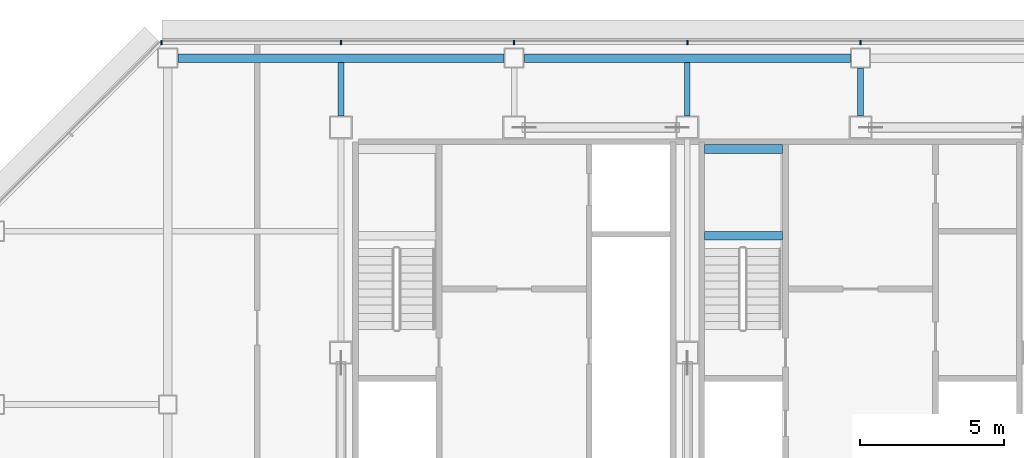
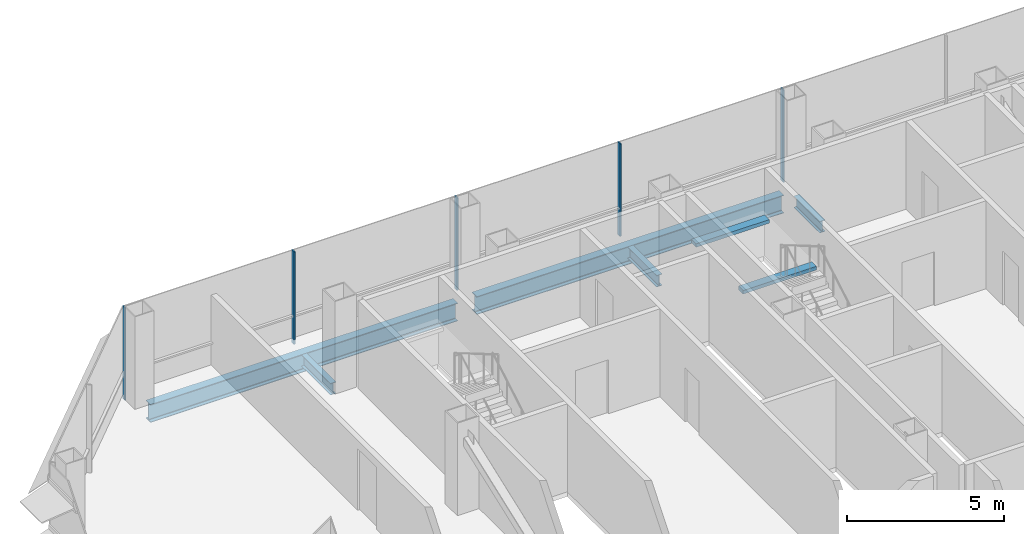
# One storey, part 13 of 27: 7 beams, 5 members, 1 element without a shape of its own.
"""IFC4 building model written with IfcOpenShell, lengths in metres."""

from ifc_helpers import new_model, si_unit, direction, frame, origin, origin_2d, place, context, subcontext, project, spatial, rectangle, i_section, extrude, material, material_profile, profile_set, type_object, element, aggregate, save


model = new_model("IFC4")

# Units and contexts
model_context = context("Model", 3, precision=1e-05, world=origin(), true_north=direction((0.0, 1.0)))
body_context = subcontext(model_context, "Body", "Model", "MODEL_VIEW")
ifc_project = project(units=[si_unit("LENGTHUNIT", "METRE"), si_unit("AREAUNIT", "SQUARE_METRE"), si_unit("VOLUMEUNIT", "CUBIC_METRE"), si_unit("PLANEANGLEUNIT", "RADIAN"), si_unit("MASSUNIT", "GRAM", prefix="KILO")], contexts=[model_context])

# Site, building, storey
site_placement = place(None, origin())
site = spatial("IfcSite", under=ifc_project, at=site_placement, CompositionType="ELEMENT")
building_placement = place(site_placement, origin())
building = spatial("IfcBuilding", under=site, at=building_placement, Name="Sorahane Residences", CompositionType="ELEMENT")
storey_placement = place(building_placement, frame((0.0, 0.0, 167.199951171875)))
storey = spatial("IfcBuildingStorey", under=building, at=storey_placement, Name="L38", CompositionType="ELEMENT", Elevation=167.199951171875)

# Curtain wall, members
ifc_material_1 = material(Name="Dark low-e glass and black anodised aluminium", Category="aluminium")
curtain_wall_type = type_object("IfcCurtainWallType", Name="Curtain wall CW-1 Typical unitised wall", PredefinedType="NOTDEFINED", material=ifc_material_1)
curtain_wall_placement = place(storey_placement, origin())
curtain_wall = element("IfcCurtainWall", 1, at=curtain_wall_placement, inside=storey, type_object=curtain_wall_type, Name="CW-1 curtain wall L38 N2", PredefinedType="NOTDEFINED")
ifc_material_2 = material(Name="Black anodised aluminium", Category="aluminium")
ifc_material_profile_1 = material_profile(ifc_material_2, rectangle(XDim=0.159912109375, YDim=0.050048828125, at=origin_2d()), Name="Curtain wall mullion CW-1 black anodised aluminium 50x160")
ifc_profile_set_1 = profile_set([ifc_material_profile_1], Name="Black anodised aluminium")
member_type = type_object("IfcMemberType", Name="Curtain wall mullion CW-1 black anodised aluminium 50x160", PredefinedType="MULLION", material=ifc_profile_set_1)
member_1_placement = place(storey_placement, frame((24.0, 48.5400390625, -0.179931640625), z_axis=(0.0, 0.0, 1.0), x_axis=(0.0, 1.0, 0.0)))
member_1 = element("IfcMember", 2, at=member_1_placement, type_object=member_type, Name="CW-1 mullion L38 N2.6", PredefinedType="MULLION", context=body_context, shape_type="SweptSolid", body=[
    extrude(rectangle(XDim=0.159912109375, YDim=0.050048828125, at=origin_2d()), origin(), (0.0, 0.0, 1.0), 3.60009765625),
])
member_2_placement = place(storey_placement, frame((18.0, 48.5400390625, -0.179931640625), z_axis=(0.0, 0.0, 1.0), x_axis=(0.0, 1.0, 0.0)))
member_2 = element("IfcMember", 3, at=member_2_placement, type_object=member_type, Name="CW-1 mullion L38 N2.7", PredefinedType="MULLION", context=body_context, shape_type="SweptSolid", body=[
    extrude(rectangle(XDim=0.159912109375, YDim=0.050048828125, at=origin_2d()), origin(), (0.0, 0.0, 1.0), 3.60009765625),
])
member_3_placement = place(storey_placement, frame((12.0, 48.5400390625, -0.179931640625), z_axis=(0.0, 0.0, 1.0), x_axis=(0.0, 1.0, 0.0)))
member_3 = element("IfcMember", 4, at=member_3_placement, type_object=member_type, Name="CW-1 mullion L38 N2.8", PredefinedType="MULLION", context=body_context, shape_type="SweptSolid", body=[
    extrude(rectangle(XDim=0.159912109375, YDim=0.050048828125, at=origin_2d()), origin(), (0.0, 0.0, 1.0), 3.60009765625),
])
member_4_placement = place(storey_placement, frame((6.0, 48.5400390625, -0.179931640625), z_axis=(0.0, 0.0, 1.0), x_axis=(0.0, 1.0, 0.0)))
member_4 = element("IfcMember", 5, at=member_4_placement, type_object=member_type, Name="CW-1 mullion L38 N2.9", PredefinedType="MULLION", context=body_context, shape_type="SweptSolid", body=[
    extrude(rectangle(XDim=0.159912109375, YDim=0.050048828125, at=origin_2d()), origin(), (0.0, 0.0, 1.0), 3.60009765625),
])
member_5_placement = place(storey_placement, frame((-0.2236328125, 48.5400390625, -0.179931640625), z_axis=(0.0, 0.0, 1.0), x_axis=(0.0, 1.0, 0.0)))
member_5 = element("IfcMember", 6, at=member_5_placement, type_object=member_type, Name="CW-1 mullion L38 N2.10", PredefinedType="MULLION", context=body_context, shape_type="SweptSolid", body=[
    extrude(rectangle(XDim=0.159912109375, YDim=0.050048828125, at=origin_2d()), origin(), (0.0, 0.0, 1.0), 3.60009765625),
])
aggregate(curtain_wall, [member_1, member_2, member_3, member_4, member_5])

# Beams
ifc_material_3 = material(Name="Concrete C40", Category="concrete")
ifc_material_profile_2 = material_profile(ifc_material_3, rectangle(XDim=0.300048828125, YDim=0.139892578125, at=origin_2d()), Name="300x140")
ifc_profile_set_2 = profile_set([ifc_material_profile_2], Name="Concrete C40")
beam_type_1 = type_object("IfcBeamType", Name="RC landing beam 300 x 140 Concrete C40", PredefinedType="BEAM", material=ifc_profile_set_2)
for number, where, z_axis, x_axis, name in (
    (7, (18.60009765625, 41.85009765625, 1.530029296875), (1.0, 0.0, 0.0), (0.0, 1.0, 0.0), "Landing beam"),
    (8, (18.60009765625, 44.85009765625, 1.530029296875), (1.0, 0.0, 0.0), (0.0, 1.0, 0.0), "Landing beam"),
):
    element("IfcBeam", number, at=place(storey_placement, frame(where, z_axis=z_axis, x_axis=x_axis)), inside=storey, type_object=beam_type_1, Name=name, PredefinedType="BEAM", context=body_context, shape_type="SweptSolid", body=[
        extrude(rectangle(XDim=0.300048828125, YDim=0.139892578125, at=origin_2d()), origin(), (0.0, 0.0, 1.0), 2.699951171875),
    ])
ifc_material_4 = material(Name="Steel Q355B", Category="steel")
ifc_material_profile_3 = material_profile(ifc_material_4, i_section(OverallWidth=0.199951171875, OverallDepth=0.449951171875, WebThickness=0.009033203125, FlangeThickness=0.013916015625, FilletRadius=0.02001953125, at=origin_2d()), Name="HN 450x200x9x14")
ifc_profile_set_3 = profile_set([ifc_material_profile_3], Name="Steel Q355B")
beam_type_2 = type_object("IfcBeamType", Name="Steel floor beam HN 450x200x9x14 Q355B", PredefinedType="BEAM", material=ifc_profile_set_3)
for number, where, z_axis, x_axis, name in (
    (9, (6.0, 46.0, -0.405029296875), (0.0, 1.0, 0.0), (-1.0, 0.0, 0.0), "Beam L38 033"),
    (10, (18.0, 46.0, -0.405029296875), (0.0, 1.0, 0.0), (-1.0, 0.0, 0.0), "Beam L38 041"),
):
    element("IfcBeam", number, at=place(storey_placement, frame(where, z_axis=z_axis, x_axis=x_axis)), inside=storey, type_object=beam_type_2, Name=name, PredefinedType="BEAM", context=body_context, shape_type="SweptSolid", body=[
        extrude(i_section(OverallWidth=0.199951171875, OverallDepth=0.449951171875, WebThickness=0.009033203125, FlangeThickness=0.013916015625, FilletRadius=0.02001953125, at=origin_2d()), origin(), (0.0, 0.0, 1.0), 1.85009765625),
    ])
beam_placement = place(storey_placement, frame((24.0, 46.0, -0.405029296875), z_axis=(0.0, 1.0, 0.0), x_axis=(-1.0, 0.0, 0.0)))
element("IfcBeam", 11, at=beam_placement, inside=storey, type_object=beam_type_2, Name="Beam L38 043", PredefinedType="BEAM", context=body_context, shape_type="SweptSolid", body=[
    extrude(i_section(OverallWidth=0.199951171875, OverallDepth=0.449951171875, WebThickness=0.009033203125, FlangeThickness=0.013916015625, FilletRadius=0.02001953125, at=origin_2d()), origin(), (0.0, 0.0, 1.0), 1.64990234375),
])
ifc_material_5 = material(Name="Steel Q355B", Category="steel")
ifc_material_profile_4 = material_profile(ifc_material_5, i_section(OverallWidth=0.300048828125, OverallDepth=0.699951171875, WebThickness=0.012939453125, FlangeThickness=0.02392578125, FilletRadius=0.028076171875, at=origin_2d()), Name="HN 700x300x13x24")
ifc_profile_set_4 = profile_set([ifc_material_profile_4], Name="Steel Q355B")
beam_type_3 = type_object("IfcBeamType", Name="Steel floor beam HN 700x300x13x24 Q355B", PredefinedType="BEAM", material=ifc_profile_set_4)
for number, where, z_axis, x_axis, name in (
    (12, (0.35009765625, 48.0, -0.530029296875), (1.0, 0.0, 0.0), (0.0, 1.0, 0.0), "Beam L38 015"),
    (13, (12.35009765625, 48.0, -0.530029296875), (1.0, 0.0, 0.0), (0.0, 1.0, 0.0), "Beam L38 016"),
):
    element("IfcBeam", number, at=place(storey_placement, frame(where, z_axis=z_axis, x_axis=x_axis)), inside=storey, type_object=beam_type_3, Name=name, PredefinedType="BEAM", context=body_context, shape_type="SweptSolid", body=[
        extrude(i_section(OverallWidth=0.300048828125, OverallDepth=0.699951171875, WebThickness=0.012939453125, FlangeThickness=0.02392578125, FilletRadius=0.028076171875, at=origin_2d()), origin(), (0.0, 0.0, 1.0), 11.2998046875),
    ])

save(model, "model.ifc")
